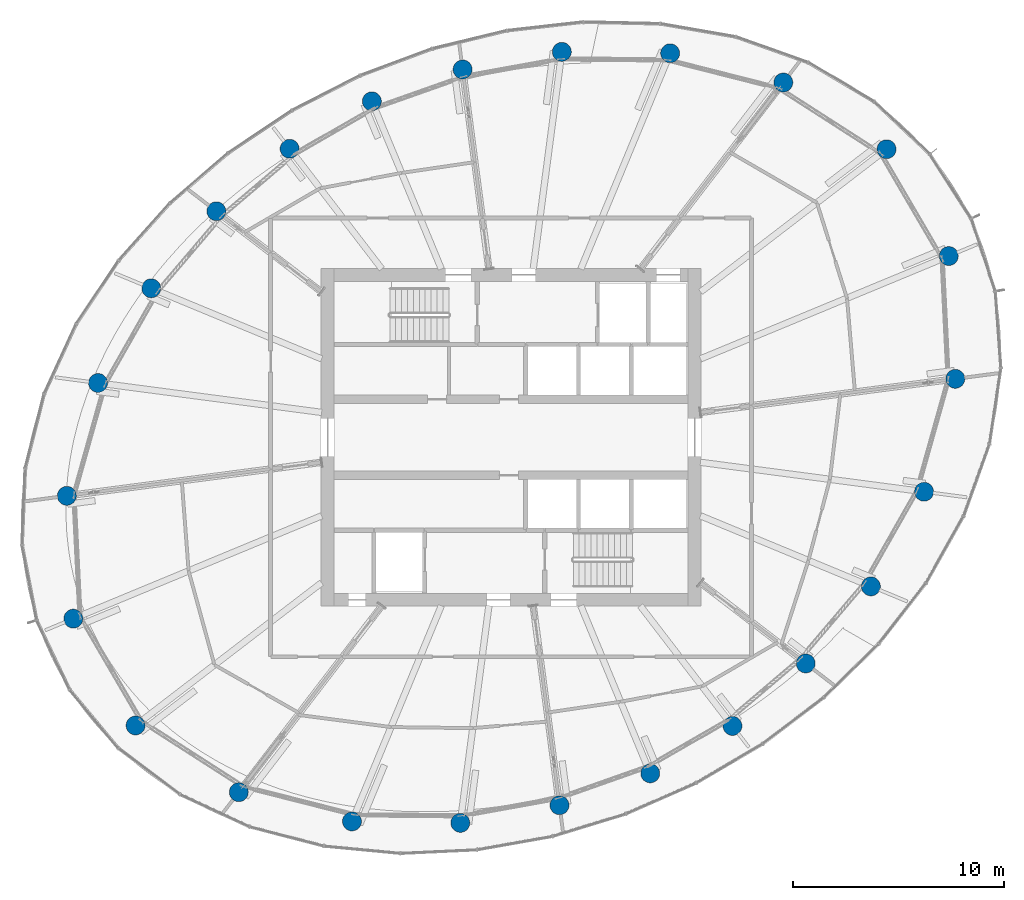
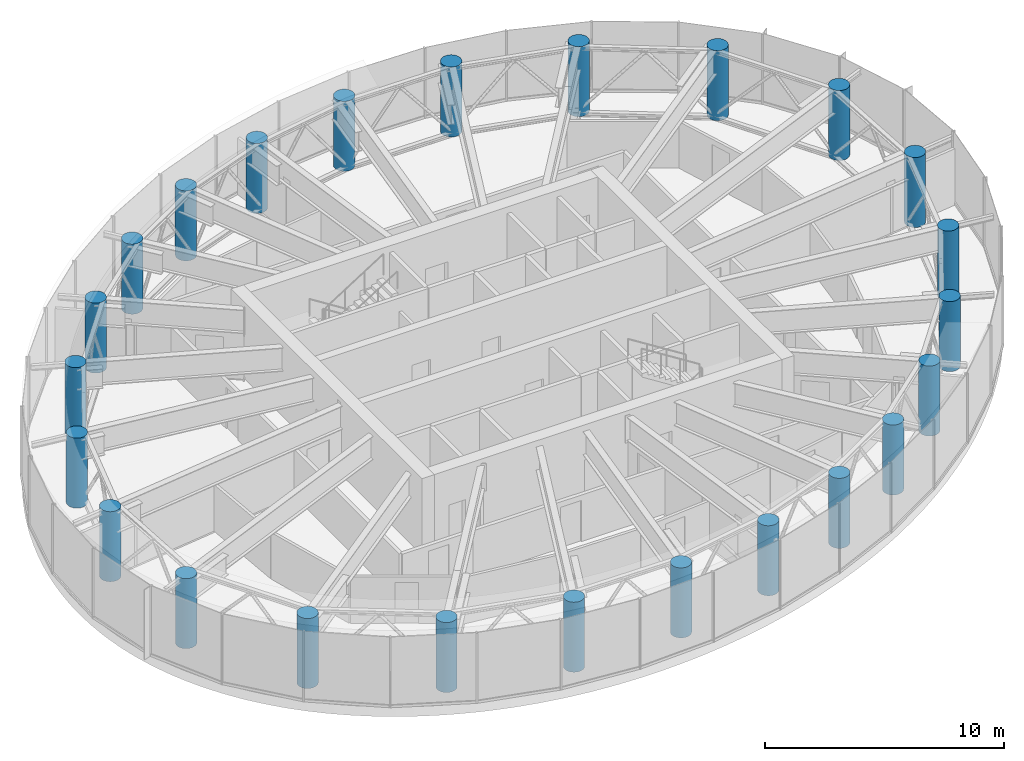
# One storey, part 1 of 26: 24 columns.
"""IFC4 building model written with IfcOpenShell, lengths in metres."""

from ifc_helpers import new_model, si_unit, direction, frame, origin, origin_2d, place, context, subcontext, project, spatial, circle, extrude, source, transform, mapped, material, material_profile, profile_set, type_object, element, save


model = new_model("IFC4")

# Units and contexts
model_context = context("Model", 3, precision=1e-05, world=origin(), true_north=direction((0.0, 1.0)))
body_context = subcontext(model_context, "Body", "Model", "MODEL_VIEW")
ifc_project = project(units=[si_unit("LENGTHUNIT", "METRE"), si_unit("AREAUNIT", "SQUARE_METRE"), si_unit("VOLUMEUNIT", "CUBIC_METRE"), si_unit("PLANEANGLEUNIT", "RADIAN"), si_unit("MASSUNIT", "GRAM", prefix="KILO")], contexts=[model_context])

# Site, building, storey
site_placement = place(None, origin())
site = spatial("IfcSite", under=ifc_project, at=site_placement, CompositionType="ELEMENT")
building_placement = place(site_placement, origin())
building = spatial("IfcBuilding", under=site, at=building_placement, Name="Spindrift Exchange Tower", CompositionType="ELEMENT")
storey_placement = place(building_placement, frame((0.0, 0.0, 230.60009765625)))
storey = spatial("IfcBuildingStorey", under=building, at=storey_placement, Name="L56", CompositionType="ELEMENT", Elevation=230.60009765625)

# Columns
ifc_material = material(Name="Concrete 50 MPa", Category="concrete")
ifc_material_profile = material_profile(ifc_material, circle(Radius=0.449951171875, at=origin_2d()), Name="RC D900")
ifc_profile_set = profile_set([ifc_material_profile], Name="Concrete 50 MPa")
column_type = type_object("IfcColumnType", Name="RC Perimeter Column D900 Concrete 50 MPa", PredefinedType="COLUMN", material=ifc_profile_set)
shared_shape = source(origin(), body_context, "Body", "SweptSolid", [
    extrude(circle(Radius=0.449951171875, at=origin_2d()), origin(), (0.0, 0.0, 1.0), 3.579833984375),
])
for number, where, z_axis, x_axis, name in (
    (1, (73.062255859375, 50.77294921875, 0.0), (0.0, 0.0, 1.0), (1.0, 0.0, 0.0), "Perimeter column P4-01 L56"),
    (2, (72.753173828125, 56.59619140625, 0.0), (0.0, 0.0, 1.0), (1.0, 0.0, 0.0), "Perimeter column P4-02 L56"),
    (3, (69.802001953125, 61.659912109375, 0.0), (0.0, 0.0, 1.0), (1.0, 0.0, 0.0), "Perimeter column P4-03 L56"),
    (4, (64.90869140625, 64.822998046875, 0.0), (0.0, 0.0, 1.0), (1.0, 0.0, 0.0), "Perimeter column P4-04 L56"),
    (5, (59.542724609375, 66.209716796875, 0.0), (0.0, 0.0, 1.0), (1.0, 0.0, 0.0), "Perimeter column P4-05 L56"),
    (6, (54.406494140625, 66.2783203125, 0.0), (0.0, 0.0, 1.0), (1.0, 0.0, 0.0), "Perimeter column P4-06 L56"),
    (7, (49.70361328125, 65.4423828125, 0.0), (0.0, 0.0, 1.0), (1.0, 0.0, 0.0), "Perimeter column P4-07 L56"),
    (8, (45.40087890625, 63.931396484375, 0.0), (0.0, 0.0, 1.0), (1.0, 0.0, 0.0), "Perimeter column P4-08 L56"),
    (9, (41.500732421875, 61.68310546875, 0.0), (0.0, 0.0, 1.0), (1.0, 0.0, 0.0), "Perimeter column P4-09 L56"),
    (10, (38.029052734375, 58.72021484375, 0.0), (0.0, 0.0, 1.0), (1.0, 0.0, 0.0), "Perimeter column P4-10 L56"),
    (11, (34.940673828125, 55.066162109375, 0.0), (0.0, 0.0, 1.0), (1.0, 0.0, 0.0), "Perimeter column P4-11 L56"),
    (12, (32.4189453125, 50.577880859375, 0.0), (0.0, 0.0, 1.0), (1.0, 0.0, 0.0), "Perimeter column P4-12 L56"),
    (13, (30.937744140625, 45.22705078125, 0.0), (0.0, 0.0, 1.0), (1.0, 0.0, 0.0), "Perimeter column P4-13 L56"),
    (14, (31.246826171875, 39.40380859375, 0.0), (0.0, 0.0, 1.0), (1.0, 0.0, 0.0), "Perimeter column P4-14 L56"),
    (15, (34.197998046875, 34.340087890625, 0.0), (0.0, 0.0, 1.0), (1.0, 0.0, 0.0), "Perimeter column P4-15 L56"),
    (16, (39.09130859375, 31.177001953125, 0.0), (0.0, 0.0, 1.0), (1.0, 0.0, 0.0), "Perimeter column P4-16 L56"),
    (17, (44.457275390625, 29.790283203125, 0.0), (0.0, 0.0, 1.0), (1.0, 0.0, 0.0), "Perimeter column P4-17 L56"),
    (18, (49.593505859375, 29.7216796875, 0.0), (0.0, 0.0, 1.0), (1.0, 0.0, 0.0), "Perimeter column P4-18 L56"),
    (19, (54.29638671875, 30.5576171875, 0.0), (0.0, 0.0, 1.0), (1.0, 0.0, 0.0), "Perimeter column P4-19 L56"),
    (20, (58.59912109375, 32.068603515625, 0.0), (0.0, 0.0, 1.0), (1.0, 0.0, 0.0), "Perimeter column P4-20 L56"),
    (21, (62.499267578125, 34.31689453125, 0.0), (0.0, 0.0, 1.0), (1.0, 0.0, 0.0), "Perimeter column P4-21 L56"),
    (22, (65.970947265625, 37.27978515625, 0.0), (0.0, 0.0, 1.0), (1.0, 0.0, 0.0), "Perimeter column P4-22 L56"),
    (23, (69.059326171875, 40.933837890625, 0.0), (0.0, 0.0, 1.0), (1.0, 0.0, 0.0), "Perimeter column P4-23 L56"),
    (24, (71.5810546875, 45.422119140625, 0.0), (0.0, 0.0, 1.0), (1.0, 0.0, 0.0), "Perimeter column P4-24 L56"),
):
    element("IfcColumn", number, at=place(storey_placement, frame(where, z_axis=z_axis, x_axis=x_axis)), inside=storey, type_object=column_type, Name=name, PredefinedType="COLUMN", context=body_context, shape_type="MappedRepresentation", body=[
        mapped(shared_shape, transform((0.0, 0.0, 0.0), scale=1.0)),
    ])

save(model, "model.ifc")
